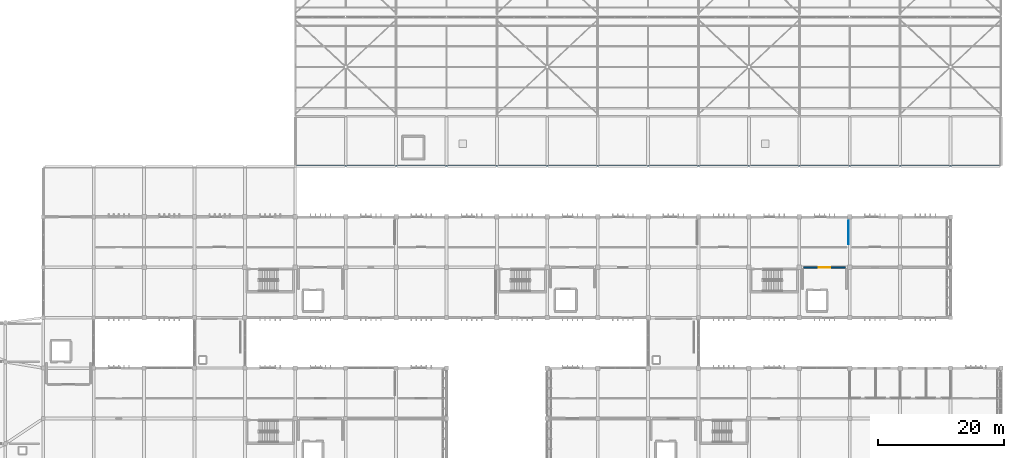
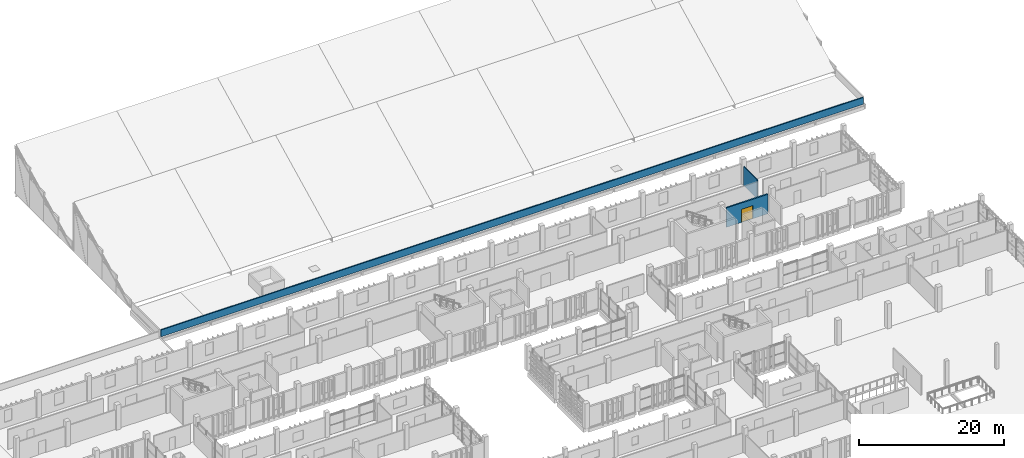
# One storey, part 122 of 137: 3 walls, 1 door, 1 opening.
"""IFC4 building model written with IfcOpenShell, lengths in metres."""

from ifc_helpers import new_model, si_unit, direction, frame, frame_2d, origin, place, context, subcontext, project, spatial, rectangle, extrude, material, layer, layer_set, type_object, element, fill, save


model = new_model("IFC4")

# Units and contexts
model_context = context("Model", 3, precision=1e-05, world=origin(), true_north=direction((0.0, 1.0)))
body_context = subcontext(model_context, "Body", "Model", "MODEL_VIEW")
ifc_project = project(units=[si_unit("LENGTHUNIT", "METRE"), si_unit("AREAUNIT", "SQUARE_METRE"), si_unit("VOLUMEUNIT", "CUBIC_METRE"), si_unit("PLANEANGLEUNIT", "RADIAN"), si_unit("MASSUNIT", "GRAM", prefix="KILO")], contexts=[model_context])

# Site, building, storey
site_placement = place(None, origin())
site = spatial("IfcSite", under=ifc_project, at=site_placement, CompositionType="ELEMENT")
building_placement = place(site_placement, origin())
building = spatial("IfcBuilding", under=site, at=building_placement, Name="Jelvoka-Kovrelna Polytechnic", CompositionType="ELEMENT")
storey_placement = place(building_placement, frame((0.0, 0.0, 9.60009765625)))
storey = spatial("IfcBuildingStorey", under=building, at=storey_placement, Name="L03", CompositionType="ELEMENT", Elevation=9.60009765625)

# Wall, opening, door
ifc_material_1 = material(Name="Concrete C35/45", Category="concrete")
ifc_layer_1 = layer(ifc_material_1, 0.219970703125)
ifc_layer_set_1 = layer_set([ifc_layer_1], Name="Concrete C35/45")
wall_type_1 = type_object("IfcWallType", Name="Wall_Compartment_220", PredefinedType="PARTITIONING", material=ifc_layer_set_1)
wall_1_placement = place(storey_placement, frame((168.699951171875, 63.949951171875, 0.0), z_axis=(0.0, 0.0, 1.0), x_axis=(1.0, 0.0, 0.0)))
wall_1 = element("IfcWall", 1, at=wall_1_placement, inside=storey, type_object=wall_type_1, Name="L03 interior wall 0353", PredefinedType="PARTITIONING", context=body_context, shape_type="SweptSolid", body=[
    extrude(rectangle(XDim=6.60009765625, YDim=0.219970703125, at=frame_2d((3.300048828125, 0.0))), origin(), (0.0, 0.0, 1.0), 3.27490234375),
])
opening_placement = place(wall_1_placement, frame((2.39990234375, 0.0, 0.0)))
opening = element("IfcOpeningElement", 2, at=opening_placement, cuts=wall_1, Name="Opening FD-L03-076", PredefinedType="OPENING", context=body_context, shape_type="SweptSolid", body=[
    extrude(rectangle(XDim=1.800048828125, YDim=2.199951171875, at=frame_2d((0.89990234375, 1.10009765625))), frame((0.0, 0.119873046875, 0.0), z_axis=(0.0, -1.0, 0.0), x_axis=(1.0, 0.0, 0.0)), (0.0, 0.0, 1.0), 0.239990234375),
])
ifc_material_2 = material(Name="Paired steel corridor fire door", Category="steel")
door_type = type_object("IfcDoorType", Name="Door_Fire_FD03", OperationType="NOTDEFINED", PredefinedType="DOOR", material=ifc_material_2)
door_placement = place(opening_placement, origin())
door = element("IfcDoor", 3, at=door_placement, inside=storey, type_object=door_type, Name="L03 interior door FD-L03-076", OperationType="DOUBLE_DOOR_SINGLE_SWING", OverallHeight=2.199951171875, OverallWidth=1.800048828125, PredefinedType="DOOR", context=body_context, shape_type="SweptSolid", body=[
    extrude(rectangle(XDim=1.800048828125, YDim=2.199951171875, at=frame_2d((0.89990234375, 1.10009765625))), frame((0.0, 0.02490234375, 0.0), z_axis=(0.0, -1.0, 0.0), x_axis=(1.0, 0.0, 0.0)), (0.0, 0.0, 1.0), 0.050048828125),
])
fill(opening, door)

# Walls
ifc_material_3 = material(Name="Precast concrete C40/50", Category="concrete")
ifc_layer_2 = layer(ifc_material_3, 0.179931640625)
ifc_layer_set_2 = layer_set([ifc_layer_2], Name="Precast concrete C40/50")
wall_type_2 = type_object("IfcWallType", Name="Wall_Parapet_180", PredefinedType="PARAPET", material=ifc_layer_set_2)
wall_2_placement = place(storey_placement, frame((88.219970703125, 80.10009765625, 0.0), z_axis=(0.0, 0.0, 1.0), x_axis=(1.0, 0.0, 0.0)))
element("IfcWall", 4, at=wall_2_placement, inside=storey, type_object=wall_type_2, Name="L03 exterior wall 1192", PredefinedType="PARAPET", context=body_context, shape_type="SweptSolid", body=[
    extrude(rectangle(XDim=111.56005859375, YDim=0.179931640625, at=frame_2d((55.780029296875, 0.0))), origin(), (0.0, 0.0, 1.0), 1.14990234375),
])
ifc_material_4 = material(Name="Acoustic gypsum stud partition")
ifc_layer_3 = layer(ifc_material_4, 0.125)
ifc_layer_set_3 = layer_set([ifc_layer_3], Name="Acoustic gypsum stud partition")
wall_type_3 = type_object("IfcWallType", Name="Wall_Partition_125", PredefinedType="PARTITIONING", material=ifc_layer_set_3)
wall_3_placement = place(storey_placement, frame((175.820068359375, 67.669921875, 0.0), z_axis=(0.0, 0.0, 1.0), x_axis=(0.0, 1.0, 0.0)))
element("IfcWall", 5, at=wall_3_placement, inside=storey, type_object=wall_type_3, Name="L03 interior wall 1075", PredefinedType="PARTITIONING", context=body_context, shape_type="SweptSolid", body=[
    extrude(rectangle(XDim=3.7099609375, YDim=0.125, at=frame_2d((1.85498046875, 0.0))), origin(), (0.0, 0.0, 1.0), 3.224853515625),
])

save(model, "model.ifc")
